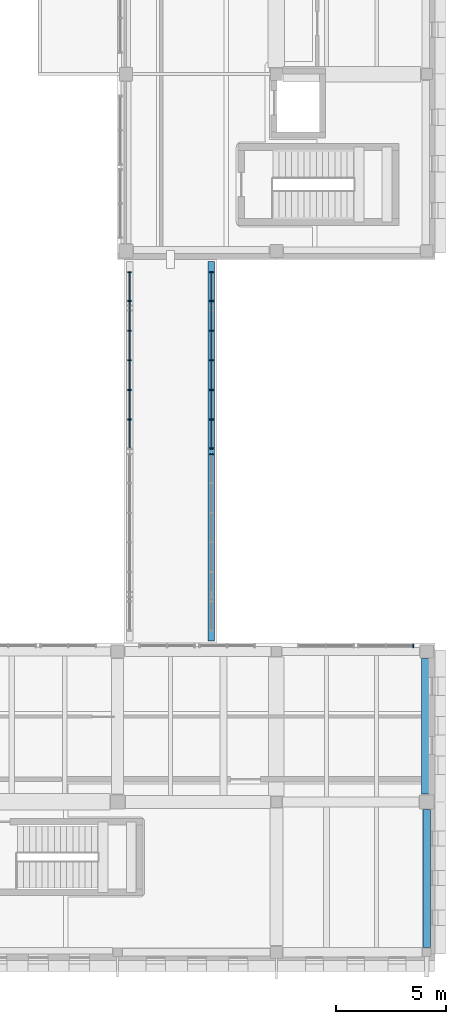
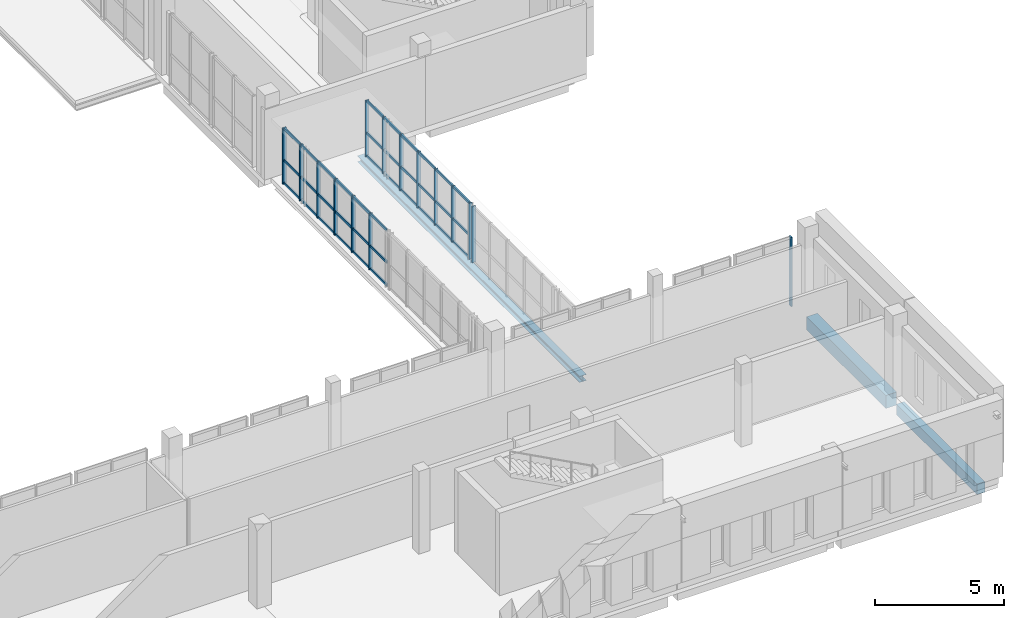
# One storey, part 32 of 76: 51 members, 3 beams, 4 elements without a shape of their own.
"""IFC4 building model written with IfcOpenShell, lengths in metres."""

from ifc_helpers import new_model, si_unit, direction, frame, origin, origin_2d, place, context, subcontext, project, spatial, rectangle, i_section, extrude, material, layer, layer_set, material_profile, profile_set, type_object, element, aggregate, save


model = new_model("IFC4")

# Units and contexts
model_context = context("Model", 3, precision=1e-05, world=origin(), true_north=direction((0.0, 1.0)))
body_context = subcontext(model_context, "Body", "Model", "MODEL_VIEW")
ifc_project = project(units=[si_unit("LENGTHUNIT", "METRE"), si_unit("AREAUNIT", "SQUARE_METRE"), si_unit("VOLUMEUNIT", "CUBIC_METRE"), si_unit("PLANEANGLEUNIT", "RADIAN"), si_unit("MASSUNIT", "GRAM", prefix="KILO")], contexts=[model_context])

# Site, building, storey
site_placement = place(None, origin())
site = spatial("IfcSite", under=ifc_project, at=site_placement, CompositionType="ELEMENT")
building_placement = place(site_placement, origin())
building = spatial("IfcBuilding", under=site, at=building_placement, Name="Vardoun Plaza Health Centre", CompositionType="ELEMENT")
storey_placement = place(building_placement, frame((0.0, 0.0, 4.5)))
storey = spatial("IfcBuildingStorey", under=building, at=storey_placement, Name="L01", CompositionType="ELEMENT", Elevation=4.5)

# Beams
ifc_material_1 = material(Name="Concrete C35/45", Category="concrete")
ifc_material_profile_1 = material_profile(ifc_material_1, rectangle(XDim=0.35009765625, YDim=0.5, at=origin_2d()), Name="RC-BM 350x500")
ifc_profile_set_1 = profile_set([ifc_material_profile_1], Name="Concrete C35/45")
beam_type_1 = type_object("IfcBeamType", Name="B-08", PredefinedType="SPANDREL", material=ifc_profile_set_1)
beam_1_placement = place(storey_placement, frame((164.919921875, 5.10498046875, -0.544921875), z_axis=(0.0, 1.0, 0.0), x_axis=(-1.0, 0.0, 0.0)))
element("IfcBeam", 1, at=beam_1_placement, inside=storey, type_object=beam_type_1, Name="V5 L01 Beam B-V5-L01-Y39", PredefinedType="SPANDREL", context=body_context, shape_type="SweptSolid", body=[
    extrude(rectangle(XDim=0.35009765625, YDim=0.5, at=origin_2d()), origin(), (0.0, 0.0, 1.0), 6.2451171875),
])
ifc_material_2 = material(Name="Concrete C35/45", Category="concrete")
ifc_material_profile_2 = material_profile(ifc_material_2, rectangle(XDim=0.47998046875, YDim=0.6201171875, at=origin_2d()), Name="RC-BM 480x620")
ifc_profile_set_2 = profile_set([ifc_material_profile_2], Name="Concrete C35/45")
beam_type_2 = type_object("IfcBeamType", Name="B-12", PredefinedType="SPANDREL", material=ifc_profile_set_2)
beam_2_placement = place(storey_placement, frame((164.919921875, 12.050048828125, -0.60498046875), z_axis=(0.0, 1.0, 0.0), x_axis=(-1.0, 0.0, 0.0)))
element("IfcBeam", 2, at=beam_2_placement, inside=storey, type_object=beam_type_2, Name="V5 L01 Beam B-V5-L01-Y40", PredefinedType="SPANDREL", context=body_context, shape_type="SweptSolid", body=[
    extrude(rectangle(XDim=0.47998046875, YDim=0.6201171875, at=origin_2d()), origin(), (0.0, 0.0, 1.0), 6.14501953125),
])
ifc_material_3 = material(Name="Steel S355J2", Category="steel")
ifc_material_profile_3 = material_profile(ifc_material_3, i_section(OverallWidth=0.300048828125, OverallDepth=0.2900390625, WebThickness=0.008544921875, FlangeThickness=0.013916015625, FilletRadius=0.027099609375, at=origin_2d()), Name="HEA 300")
ifc_profile_set_3 = profile_set([ifc_material_profile_3], Name="Steel S355J2")
beam_type_3 = type_object("IfcBeamType", Name="SB-05", PredefinedType="BEAM", material=ifc_profile_set_3)
beam_3_placement = place(storey_placement, frame((155.14990234375, 19.0, -0.364990234375), z_axis=(0.0, 1.0, 0.0), x_axis=(-1.0, 0.0, 0.0)))
element("IfcBeam", 3, at=beam_3_placement, inside=storey, type_object=beam_type_3, Name="Bridge BR-05 Edge Steel Girder E", PredefinedType="BEAM", context=body_context, shape_type="SweptSolid", body=[
    extrude(i_section(OverallWidth=0.300048828125, OverallDepth=0.2900390625, WebThickness=0.008544921875, FlangeThickness=0.013916015625, FilletRadius=0.027099609375, at=origin_2d()), origin(), (0.0, 0.0, 1.0), 17.199951171875),
])

# Curtain wall, member
ifc_material_4 = material(Name="Aluminium Alloy EN AW-6063-T6 and Low-E Glass", Category="aluminium")
ifc_layer = layer(ifc_material_4, 0.14990234375)
ifc_layer_set = layer_set([ifc_layer], Name="Aluminium Alloy EN AW-6063-T6 and Low-E Glass")
curtain_wall_type = type_object("IfcCurtainWallType", Name="CW-03", PredefinedType="NOTDEFINED", material=ifc_layer_set)
curtain_wall_1_placement = place(storey_placement, origin())
curtain_wall_1 = element("IfcCurtainWall", 4, at=curtain_wall_1_placement, inside=storey, type_object=curtain_wall_type, Name="Curtain Wall CW-V5-164", PredefinedType="NOTDEFINED")
ifc_material_5 = material(Name="Aluminium Alloy EN AW-6063-T6", Category="aluminium")
ifc_material_profile_4 = material_profile(ifc_material_5, rectangle(XDim=0.159912109375, YDim=0.06005859375, at=origin_2d()), Name="CWM 60x160")
ifc_profile_set_4 = profile_set([ifc_material_profile_4], Name="Aluminium Alloy EN AW-6063-T6")
member_type_1 = type_object("IfcMemberType", Name="CW-M1", PredefinedType="MULLION", material=ifc_profile_set_4)
member_1_placement = place(storey_placement, frame((164.31005859375, 18.780029296875, 0.0), z_axis=(0.0, 0.0, 1.0), x_axis=(0.0, 1.0, 0.0)))
member_1 = element("IfcMember", 5, at=member_1_placement, type_object=member_type_1, Name="CW-V5-164 mullion 3", PredefinedType="MULLION", context=body_context, shape_type="SweptSolid", body=[
    extrude(rectangle(XDim=0.159912109375, YDim=0.06005859375, at=origin_2d()), origin(), (0.0, 0.0, 1.0), 3.27001953125),
])
aggregate(curtain_wall_1, [member_1])

curtain_wall_2_placement = place(storey_placement, origin())
curtain_wall_2 = element("IfcCurtainWall", 6, at=curtain_wall_2_placement, inside=storey, type_object=curtain_wall_type, Name="Curtain Wall CW-BR-5ES", PredefinedType="NOTDEFINED")
member_2_placement = place(storey_placement, frame((155.14990234375, 27.469970703125, 0.0), z_axis=(0.0, 0.0, 1.0), x_axis=(1.0, 0.0, 0.0)))
member_2 = element("IfcMember", 7, at=member_2_placement, type_object=member_type_1, Name="CW-BR-5ES mullion 1", PredefinedType="MULLION", context=body_context, shape_type="SweptSolid", body=[
    extrude(rectangle(XDim=0.159912109375, YDim=0.06005859375, at=origin_2d()), origin(), (0.0, 0.0, 1.0), 2.64990234375),
])
aggregate(curtain_wall_2, [member_2])

# Curtain wall, members
curtain_wall_3_placement = place(storey_placement, origin())
curtain_wall_3 = element("IfcCurtainWall", 8, at=curtain_wall_3_placement, inside=storey, type_object=curtain_wall_type, Name="Curtain Wall CW-BR-5WN", PredefinedType="NOTDEFINED")
member_3_placement = place(storey_placement, frame((151.449951171875, 29.041748046875, 0.0), z_axis=(0.0, 0.0, 1.0), x_axis=(-1.0, 0.0, 0.0)))
member_3 = element("IfcMember", 9, at=member_3_placement, type_object=member_type_1, Name="CW-BR-5WN mullion 2", PredefinedType="MULLION", context=body_context, shape_type="SweptSolid", body=[
    extrude(rectangle(XDim=0.159912109375, YDim=0.06005859375, at=origin_2d()), origin(), (0.0, 0.0, 1.0), 2.64990234375),
])
member_4_placement = place(storey_placement, frame((151.449951171875, 30.38330078125, 0.0), z_axis=(0.0, 0.0, 1.0), x_axis=(-1.0, 0.0, 0.0)))
member_4 = element("IfcMember", 10, at=member_4_placement, type_object=member_type_1, Name="CW-BR-5WN mullion 3", PredefinedType="MULLION", context=body_context, shape_type="SweptSolid", body=[
    extrude(rectangle(XDim=0.159912109375, YDim=0.06005859375, at=origin_2d()), origin(), (0.0, 0.0, 1.0), 2.64990234375),
])
member_5_placement = place(storey_placement, frame((151.449951171875, 31.72509765625, 0.0), z_axis=(0.0, 0.0, 1.0), x_axis=(-1.0, 0.0, 0.0)))
member_5 = element("IfcMember", 11, at=member_5_placement, type_object=member_type_1, Name="CW-BR-5WN mullion 4", PredefinedType="MULLION", context=body_context, shape_type="SweptSolid", body=[
    extrude(rectangle(XDim=0.159912109375, YDim=0.06005859375, at=origin_2d()), origin(), (0.0, 0.0, 1.0), 2.64990234375),
])
member_6_placement = place(storey_placement, frame((151.449951171875, 33.066650390625, 0.0), z_axis=(0.0, 0.0, 1.0), x_axis=(-1.0, 0.0, 0.0)))
member_6 = element("IfcMember", 12, at=member_6_placement, type_object=member_type_1, Name="CW-BR-5WN mullion 5", PredefinedType="MULLION", context=body_context, shape_type="SweptSolid", body=[
    extrude(rectangle(XDim=0.159912109375, YDim=0.06005859375, at=origin_2d()), origin(), (0.0, 0.0, 1.0), 2.64990234375),
])
member_7_placement = place(storey_placement, frame((151.449951171875, 34.408447265625, 0.0), z_axis=(0.0, 0.0, 1.0), x_axis=(-1.0, 0.0, 0.0)))
member_7 = element("IfcMember", 13, at=member_7_placement, type_object=member_type_1, Name="CW-BR-5WN mullion 6", PredefinedType="MULLION", context=body_context, shape_type="SweptSolid", body=[
    extrude(rectangle(XDim=0.159912109375, YDim=0.06005859375, at=origin_2d()), origin(), (0.0, 0.0, 1.0), 2.64990234375),
])
member_8_placement = place(storey_placement, frame((151.449951171875, 35.719970703125, 0.0), z_axis=(0.0, 0.0, 1.0), x_axis=(-1.0, 0.0, 0.0)))
member_8 = element("IfcMember", 14, at=member_8_placement, type_object=member_type_1, Name="CW-BR-5WN mullion 7", PredefinedType="MULLION", context=body_context, shape_type="SweptSolid", body=[
    extrude(rectangle(XDim=0.159912109375, YDim=0.06005859375, at=origin_2d()), origin(), (0.0, 0.0, 1.0), 2.64990234375),
])

curtain_wall_4_placement = place(storey_placement, origin())
curtain_wall_4 = element("IfcCurtainWall", 15, at=curtain_wall_4_placement, inside=storey, type_object=curtain_wall_type, Name="Curtain Wall CW-BR-5EN", PredefinedType="NOTDEFINED")
member_9_placement = place(storey_placement, frame((155.14990234375, 35.719970703125, 0.0), z_axis=(0.0, 0.0, 1.0), x_axis=(1.0, 0.0, 0.0)))
member_9 = element("IfcMember", 16, at=member_9_placement, type_object=member_type_1, Name="CW-BR-5EN mullion 1", PredefinedType="MULLION", context=body_context, shape_type="SweptSolid", body=[
    extrude(rectangle(XDim=0.159912109375, YDim=0.06005859375, at=origin_2d()), origin(), (0.0, 0.0, 1.0), 2.64990234375),
])
member_10_placement = place(storey_placement, frame((155.14990234375, 34.408447265625, 0.0), z_axis=(0.0, 0.0, 1.0), x_axis=(1.0, 0.0, 0.0)))
member_10 = element("IfcMember", 17, at=member_10_placement, type_object=member_type_1, Name="CW-BR-5EN mullion 2", PredefinedType="MULLION", context=body_context, shape_type="SweptSolid", body=[
    extrude(rectangle(XDim=0.159912109375, YDim=0.06005859375, at=origin_2d()), origin(), (0.0, 0.0, 1.0), 2.64990234375),
])
member_11_placement = place(storey_placement, frame((155.14990234375, 33.066650390625, 0.0), z_axis=(0.0, 0.0, 1.0), x_axis=(1.0, 0.0, 0.0)))
member_11 = element("IfcMember", 18, at=member_11_placement, type_object=member_type_1, Name="CW-BR-5EN mullion 3", PredefinedType="MULLION", context=body_context, shape_type="SweptSolid", body=[
    extrude(rectangle(XDim=0.159912109375, YDim=0.06005859375, at=origin_2d()), origin(), (0.0, 0.0, 1.0), 2.64990234375),
])
member_12_placement = place(storey_placement, frame((155.14990234375, 31.72509765625, 0.0), z_axis=(0.0, 0.0, 1.0), x_axis=(1.0, 0.0, 0.0)))
member_12 = element("IfcMember", 19, at=member_12_placement, type_object=member_type_1, Name="CW-BR-5EN mullion 4", PredefinedType="MULLION", context=body_context, shape_type="SweptSolid", body=[
    extrude(rectangle(XDim=0.159912109375, YDim=0.06005859375, at=origin_2d()), origin(), (0.0, 0.0, 1.0), 2.64990234375),
])
member_13_placement = place(storey_placement, frame((155.14990234375, 30.38330078125, 0.0), z_axis=(0.0, 0.0, 1.0), x_axis=(1.0, 0.0, 0.0)))
member_13 = element("IfcMember", 20, at=member_13_placement, type_object=member_type_1, Name="CW-BR-5EN mullion 5", PredefinedType="MULLION", context=body_context, shape_type="SweptSolid", body=[
    extrude(rectangle(XDim=0.159912109375, YDim=0.06005859375, at=origin_2d()), origin(), (0.0, 0.0, 1.0), 2.64990234375),
])
member_14_placement = place(storey_placement, frame((155.14990234375, 29.041748046875, 0.0), z_axis=(0.0, 0.0, 1.0), x_axis=(1.0, 0.0, 0.0)))
member_14 = element("IfcMember", 21, at=member_14_placement, type_object=member_type_1, Name="CW-BR-5EN mullion 6", PredefinedType="MULLION", context=body_context, shape_type="SweptSolid", body=[
    extrude(rectangle(XDim=0.159912109375, YDim=0.06005859375, at=origin_2d()), origin(), (0.0, 0.0, 1.0), 2.64990234375),
])
member_15_placement = place(storey_placement, frame((155.14990234375, 27.72998046875, 0.0), z_axis=(0.0, 0.0, 1.0), x_axis=(1.0, 0.0, 0.0)))
member_15 = element("IfcMember", 22, at=member_15_placement, type_object=member_type_1, Name="CW-BR-5EN mullion 7", PredefinedType="MULLION", context=body_context, shape_type="SweptSolid", body=[
    extrude(rectangle(XDim=0.159912109375, YDim=0.06005859375, at=origin_2d()), origin(), (0.0, 0.0, 1.0), 2.64990234375),
])

# Member
ifc_material_6 = material(Name="Aluminium Alloy EN AW-6063-T6", Category="aluminium")
ifc_material_profile_5 = material_profile(ifc_material_6, rectangle(XDim=0.06005859375, YDim=0.1201171875, at=origin_2d()), Name="CWT 60x120")
ifc_profile_set_5 = profile_set([ifc_material_profile_5], Name="Aluminium Alloy EN AW-6063-T6")
member_type_2 = type_object("IfcMemberType", Name="CW-T1", PredefinedType="USERDEFINED", material=ifc_profile_set_5)
member_16_placement = place(storey_placement, frame((151.449951171875, 27.760009765625, 0.030029296875), z_axis=(0.0, 1.0, 0.0), x_axis=(-1.0, 0.0, 0.0)))
member_16 = element("IfcMember", 23, at=member_16_placement, type_object=member_type_2, Name="CW-BR-5WN transom 1.1", ObjectType="TRANSOM", PredefinedType="USERDEFINED", context=body_context, shape_type="SweptSolid", body=[
    extrude(rectangle(XDim=0.06005859375, YDim=0.1201171875, at=origin_2d()), origin(), (0.0, 0.0, 1.0), 1.251708984375),
])

member_17_placement = place(storey_placement, frame((151.449951171875, 27.760009765625, 1.113037109375), z_axis=(0.0, 1.0, 0.0), x_axis=(-1.0, 0.0, 0.0)))
member_17 = element("IfcMember", 24, at=member_17_placement, type_object=member_type_2, Name="CW-BR-5WN transom 1.2", ObjectType="TRANSOM", PredefinedType="USERDEFINED", context=body_context, shape_type="SweptSolid", body=[
    extrude(rectangle(XDim=0.06005859375, YDim=0.1201171875, at=origin_2d()), origin(), (0.0, 0.0, 1.0), 1.251708984375),
])

member_18_placement = place(storey_placement, frame((151.449951171875, 27.760009765625, 2.6201171875), z_axis=(0.0, 1.0, 0.0), x_axis=(-1.0, 0.0, 0.0)))
member_18 = element("IfcMember", 25, at=member_18_placement, type_object=member_type_2, Name="CW-BR-5WN transom 1.3", ObjectType="TRANSOM", PredefinedType="USERDEFINED", context=body_context, shape_type="SweptSolid", body=[
    extrude(rectangle(XDim=0.06005859375, YDim=0.1201171875, at=origin_2d()), origin(), (0.0, 0.0, 1.0), 1.251708984375),
])

member_19_placement = place(storey_placement, frame((151.449951171875, 29.07177734375, 0.030029296875), z_axis=(0.0, 1.0, 0.0), x_axis=(-1.0, 0.0, 0.0)))
member_19 = element("IfcMember", 26, at=member_19_placement, type_object=member_type_2, Name="CW-BR-5WN transom 2.1", ObjectType="TRANSOM", PredefinedType="USERDEFINED", context=body_context, shape_type="SweptSolid", body=[
    extrude(rectangle(XDim=0.06005859375, YDim=0.1201171875, at=origin_2d()), origin(), (0.0, 0.0, 1.0), 1.28173828125),
])

member_20_placement = place(storey_placement, frame((151.449951171875, 29.07177734375, 1.113037109375), z_axis=(0.0, 1.0, 0.0), x_axis=(-1.0, 0.0, 0.0)))
member_20 = element("IfcMember", 27, at=member_20_placement, type_object=member_type_2, Name="CW-BR-5WN transom 2.2", ObjectType="TRANSOM", PredefinedType="USERDEFINED", context=body_context, shape_type="SweptSolid", body=[
    extrude(rectangle(XDim=0.06005859375, YDim=0.1201171875, at=origin_2d()), origin(), (0.0, 0.0, 1.0), 1.28173828125),
])

member_21_placement = place(storey_placement, frame((151.449951171875, 29.07177734375, 2.6201171875), z_axis=(0.0, 1.0, 0.0), x_axis=(-1.0, 0.0, 0.0)))
member_21 = element("IfcMember", 28, at=member_21_placement, type_object=member_type_2, Name="CW-BR-5WN transom 2.3", ObjectType="TRANSOM", PredefinedType="USERDEFINED", context=body_context, shape_type="SweptSolid", body=[
    extrude(rectangle(XDim=0.06005859375, YDim=0.1201171875, at=origin_2d()), origin(), (0.0, 0.0, 1.0), 1.28173828125),
])

member_22_placement = place(storey_placement, frame((151.449951171875, 30.413330078125, 0.030029296875), z_axis=(0.0, 1.0, 0.0), x_axis=(-1.0, 0.0, 0.0)))
member_22 = element("IfcMember", 29, at=member_22_placement, type_object=member_type_2, Name="CW-BR-5WN transom 3.1", ObjectType="TRANSOM", PredefinedType="USERDEFINED", context=body_context, shape_type="SweptSolid", body=[
    extrude(rectangle(XDim=0.06005859375, YDim=0.1201171875, at=origin_2d()), origin(), (0.0, 0.0, 1.0), 1.28173828125),
])

member_23_placement = place(storey_placement, frame((151.449951171875, 30.413330078125, 1.113037109375), z_axis=(0.0, 1.0, 0.0), x_axis=(-1.0, 0.0, 0.0)))
member_23 = element("IfcMember", 30, at=member_23_placement, type_object=member_type_2, Name="CW-BR-5WN transom 3.2", ObjectType="TRANSOM", PredefinedType="USERDEFINED", context=body_context, shape_type="SweptSolid", body=[
    extrude(rectangle(XDim=0.06005859375, YDim=0.1201171875, at=origin_2d()), origin(), (0.0, 0.0, 1.0), 1.28173828125),
])

member_24_placement = place(storey_placement, frame((151.449951171875, 30.413330078125, 2.6201171875), z_axis=(0.0, 1.0, 0.0), x_axis=(-1.0, 0.0, 0.0)))
member_24 = element("IfcMember", 31, at=member_24_placement, type_object=member_type_2, Name="CW-BR-5WN transom 3.3", ObjectType="TRANSOM", PredefinedType="USERDEFINED", context=body_context, shape_type="SweptSolid", body=[
    extrude(rectangle(XDim=0.06005859375, YDim=0.1201171875, at=origin_2d()), origin(), (0.0, 0.0, 1.0), 1.28173828125),
])

member_25_placement = place(storey_placement, frame((151.449951171875, 31.7548828125, 0.030029296875), z_axis=(0.0, 1.0, 0.0), x_axis=(-1.0, 0.0, 0.0)))
member_25 = element("IfcMember", 32, at=member_25_placement, type_object=member_type_2, Name="CW-BR-5WN transom 4.1", ObjectType="TRANSOM", PredefinedType="USERDEFINED", context=body_context, shape_type="SweptSolid", body=[
    extrude(rectangle(XDim=0.06005859375, YDim=0.1201171875, at=origin_2d()), origin(), (0.0, 0.0, 1.0), 1.28173828125),
])

member_26_placement = place(storey_placement, frame((151.449951171875, 31.7548828125, 1.113037109375), z_axis=(0.0, 1.0, 0.0), x_axis=(-1.0, 0.0, 0.0)))
member_26 = element("IfcMember", 33, at=member_26_placement, type_object=member_type_2, Name="CW-BR-5WN transom 4.2", ObjectType="TRANSOM", PredefinedType="USERDEFINED", context=body_context, shape_type="SweptSolid", body=[
    extrude(rectangle(XDim=0.06005859375, YDim=0.1201171875, at=origin_2d()), origin(), (0.0, 0.0, 1.0), 1.28173828125),
])

member_27_placement = place(storey_placement, frame((151.449951171875, 31.7548828125, 2.6201171875), z_axis=(0.0, 1.0, 0.0), x_axis=(-1.0, 0.0, 0.0)))
member_27 = element("IfcMember", 34, at=member_27_placement, type_object=member_type_2, Name="CW-BR-5WN transom 4.3", ObjectType="TRANSOM", PredefinedType="USERDEFINED", context=body_context, shape_type="SweptSolid", body=[
    extrude(rectangle(XDim=0.06005859375, YDim=0.1201171875, at=origin_2d()), origin(), (0.0, 0.0, 1.0), 1.28173828125),
])

member_28_placement = place(storey_placement, frame((151.449951171875, 33.0966796875, 0.030029296875), z_axis=(0.0, 1.0, 0.0), x_axis=(-1.0, 0.0, 0.0)))
member_28 = element("IfcMember", 35, at=member_28_placement, type_object=member_type_2, Name="CW-BR-5WN transom 5.1", ObjectType="TRANSOM", PredefinedType="USERDEFINED", context=body_context, shape_type="SweptSolid", body=[
    extrude(rectangle(XDim=0.06005859375, YDim=0.1201171875, at=origin_2d()), origin(), (0.0, 0.0, 1.0), 1.28173828125),
])

member_29_placement = place(storey_placement, frame((151.449951171875, 33.0966796875, 1.113037109375), z_axis=(0.0, 1.0, 0.0), x_axis=(-1.0, 0.0, 0.0)))
member_29 = element("IfcMember", 36, at=member_29_placement, type_object=member_type_2, Name="CW-BR-5WN transom 5.2", ObjectType="TRANSOM", PredefinedType="USERDEFINED", context=body_context, shape_type="SweptSolid", body=[
    extrude(rectangle(XDim=0.06005859375, YDim=0.1201171875, at=origin_2d()), origin(), (0.0, 0.0, 1.0), 1.28173828125),
])

member_30_placement = place(storey_placement, frame((151.449951171875, 33.0966796875, 2.6201171875), z_axis=(0.0, 1.0, 0.0), x_axis=(-1.0, 0.0, 0.0)))
member_30 = element("IfcMember", 37, at=member_30_placement, type_object=member_type_2, Name="CW-BR-5WN transom 5.3", ObjectType="TRANSOM", PredefinedType="USERDEFINED", context=body_context, shape_type="SweptSolid", body=[
    extrude(rectangle(XDim=0.06005859375, YDim=0.1201171875, at=origin_2d()), origin(), (0.0, 0.0, 1.0), 1.28173828125),
])

member_31_placement = place(storey_placement, frame((151.449951171875, 34.438232421875, 0.030029296875), z_axis=(0.0, 1.0, 0.0), x_axis=(-1.0, 0.0, 0.0)))
member_31 = element("IfcMember", 38, at=member_31_placement, type_object=member_type_2, Name="CW-BR-5WN transom 6.1", ObjectType="TRANSOM", PredefinedType="USERDEFINED", context=body_context, shape_type="SweptSolid", body=[
    extrude(rectangle(XDim=0.06005859375, YDim=0.1201171875, at=origin_2d()), origin(), (0.0, 0.0, 1.0), 1.251708984375),
])

member_32_placement = place(storey_placement, frame((151.449951171875, 34.438232421875, 1.113037109375), z_axis=(0.0, 1.0, 0.0), x_axis=(-1.0, 0.0, 0.0)))
member_32 = element("IfcMember", 39, at=member_32_placement, type_object=member_type_2, Name="CW-BR-5WN transom 6.2", ObjectType="TRANSOM", PredefinedType="USERDEFINED", context=body_context, shape_type="SweptSolid", body=[
    extrude(rectangle(XDim=0.06005859375, YDim=0.1201171875, at=origin_2d()), origin(), (0.0, 0.0, 1.0), 1.251708984375),
])

member_33_placement = place(storey_placement, frame((151.449951171875, 34.438232421875, 2.6201171875), z_axis=(0.0, 1.0, 0.0), x_axis=(-1.0, 0.0, 0.0)))
member_33 = element("IfcMember", 40, at=member_33_placement, type_object=member_type_2, Name="CW-BR-5WN transom 6.3", ObjectType="TRANSOM", PredefinedType="USERDEFINED", context=body_context, shape_type="SweptSolid", body=[
    extrude(rectangle(XDim=0.06005859375, YDim=0.1201171875, at=origin_2d()), origin(), (0.0, 0.0, 1.0), 1.251708984375),
])

aggregate(curtain_wall_3, [member_3, member_4, member_5, member_6, member_7, member_8, member_16, member_17, member_18, member_19, member_20, member_21, member_22, member_23, member_24, member_25, member_26, member_27, member_28, member_29, member_30, member_31, member_32, member_33])

member_34_placement = place(storey_placement, frame((155.14990234375, 35.68994140625, 0.030029296875), z_axis=(0.0, -1.0, 0.0), x_axis=(1.0, 0.0, 0.0)))
member_34 = element("IfcMember", 41, at=member_34_placement, type_object=member_type_2, Name="CW-BR-5EN transom 1.1", ObjectType="TRANSOM", PredefinedType="USERDEFINED", context=body_context, shape_type="SweptSolid", body=[
    extrude(rectangle(XDim=0.06005859375, YDim=0.1201171875, at=origin_2d()), origin(), (0.0, 0.0, 1.0), 1.251708984375),
])

member_35_placement = place(storey_placement, frame((155.14990234375, 35.68994140625, 1.113037109375), z_axis=(0.0, -1.0, 0.0), x_axis=(1.0, 0.0, 0.0)))
member_35 = element("IfcMember", 42, at=member_35_placement, type_object=member_type_2, Name="CW-BR-5EN transom 1.2", ObjectType="TRANSOM", PredefinedType="USERDEFINED", context=body_context, shape_type="SweptSolid", body=[
    extrude(rectangle(XDim=0.06005859375, YDim=0.1201171875, at=origin_2d()), origin(), (0.0, 0.0, 1.0), 1.251708984375),
])

member_36_placement = place(storey_placement, frame((155.14990234375, 35.68994140625, 2.6201171875), z_axis=(0.0, -1.0, 0.0), x_axis=(1.0, 0.0, 0.0)))
member_36 = element("IfcMember", 43, at=member_36_placement, type_object=member_type_2, Name="CW-BR-5EN transom 1.3", ObjectType="TRANSOM", PredefinedType="USERDEFINED", context=body_context, shape_type="SweptSolid", body=[
    extrude(rectangle(XDim=0.06005859375, YDim=0.1201171875, at=origin_2d()), origin(), (0.0, 0.0, 1.0), 1.251708984375),
])

member_37_placement = place(storey_placement, frame((155.14990234375, 34.37841796875, 0.030029296875), z_axis=(0.0, -1.0, 0.0), x_axis=(1.0, 0.0, 0.0)))
member_37 = element("IfcMember", 44, at=member_37_placement, type_object=member_type_2, Name="CW-BR-5EN transom 2.1", ObjectType="TRANSOM", PredefinedType="USERDEFINED", context=body_context, shape_type="SweptSolid", body=[
    extrude(rectangle(XDim=0.06005859375, YDim=0.1201171875, at=origin_2d()), origin(), (0.0, 0.0, 1.0), 1.28173828125),
])

member_38_placement = place(storey_placement, frame((155.14990234375, 34.37841796875, 1.113037109375), z_axis=(0.0, -1.0, 0.0), x_axis=(1.0, 0.0, 0.0)))
member_38 = element("IfcMember", 45, at=member_38_placement, type_object=member_type_2, Name="CW-BR-5EN transom 2.2", ObjectType="TRANSOM", PredefinedType="USERDEFINED", context=body_context, shape_type="SweptSolid", body=[
    extrude(rectangle(XDim=0.06005859375, YDim=0.1201171875, at=origin_2d()), origin(), (0.0, 0.0, 1.0), 1.28173828125),
])

member_39_placement = place(storey_placement, frame((155.14990234375, 34.37841796875, 2.6201171875), z_axis=(0.0, -1.0, 0.0), x_axis=(1.0, 0.0, 0.0)))
member_39 = element("IfcMember", 46, at=member_39_placement, type_object=member_type_2, Name="CW-BR-5EN transom 2.3", ObjectType="TRANSOM", PredefinedType="USERDEFINED", context=body_context, shape_type="SweptSolid", body=[
    extrude(rectangle(XDim=0.06005859375, YDim=0.1201171875, at=origin_2d()), origin(), (0.0, 0.0, 1.0), 1.28173828125),
])

member_40_placement = place(storey_placement, frame((155.14990234375, 33.03662109375, 0.030029296875), z_axis=(0.0, -1.0, 0.0), x_axis=(1.0, 0.0, 0.0)))
member_40 = element("IfcMember", 47, at=member_40_placement, type_object=member_type_2, Name="CW-BR-5EN transom 3.1", ObjectType="TRANSOM", PredefinedType="USERDEFINED", context=body_context, shape_type="SweptSolid", body=[
    extrude(rectangle(XDim=0.06005859375, YDim=0.1201171875, at=origin_2d()), origin(), (0.0, 0.0, 1.0), 1.28173828125),
])

member_41_placement = place(storey_placement, frame((155.14990234375, 33.03662109375, 1.113037109375), z_axis=(0.0, -1.0, 0.0), x_axis=(1.0, 0.0, 0.0)))
member_41 = element("IfcMember", 48, at=member_41_placement, type_object=member_type_2, Name="CW-BR-5EN transom 3.2", ObjectType="TRANSOM", PredefinedType="USERDEFINED", context=body_context, shape_type="SweptSolid", body=[
    extrude(rectangle(XDim=0.06005859375, YDim=0.1201171875, at=origin_2d()), origin(), (0.0, 0.0, 1.0), 1.28173828125),
])

member_42_placement = place(storey_placement, frame((155.14990234375, 33.03662109375, 2.6201171875), z_axis=(0.0, -1.0, 0.0), x_axis=(1.0, 0.0, 0.0)))
member_42 = element("IfcMember", 49, at=member_42_placement, type_object=member_type_2, Name="CW-BR-5EN transom 3.3", ObjectType="TRANSOM", PredefinedType="USERDEFINED", context=body_context, shape_type="SweptSolid", body=[
    extrude(rectangle(XDim=0.06005859375, YDim=0.1201171875, at=origin_2d()), origin(), (0.0, 0.0, 1.0), 1.28173828125),
])

member_43_placement = place(storey_placement, frame((155.14990234375, 31.695068359375, 0.030029296875), z_axis=(0.0, -1.0, 0.0), x_axis=(1.0, 0.0, 0.0)))
member_43 = element("IfcMember", 50, at=member_43_placement, type_object=member_type_2, Name="CW-BR-5EN transom 4.1", ObjectType="TRANSOM", PredefinedType="USERDEFINED", context=body_context, shape_type="SweptSolid", body=[
    extrude(rectangle(XDim=0.06005859375, YDim=0.1201171875, at=origin_2d()), origin(), (0.0, 0.0, 1.0), 1.28173828125),
])

member_44_placement = place(storey_placement, frame((155.14990234375, 31.695068359375, 1.113037109375), z_axis=(0.0, -1.0, 0.0), x_axis=(1.0, 0.0, 0.0)))
member_44 = element("IfcMember", 51, at=member_44_placement, type_object=member_type_2, Name="CW-BR-5EN transom 4.2", ObjectType="TRANSOM", PredefinedType="USERDEFINED", context=body_context, shape_type="SweptSolid", body=[
    extrude(rectangle(XDim=0.06005859375, YDim=0.1201171875, at=origin_2d()), origin(), (0.0, 0.0, 1.0), 1.28173828125),
])

member_45_placement = place(storey_placement, frame((155.14990234375, 31.695068359375, 2.6201171875), z_axis=(0.0, -1.0, 0.0), x_axis=(1.0, 0.0, 0.0)))
member_45 = element("IfcMember", 52, at=member_45_placement, type_object=member_type_2, Name="CW-BR-5EN transom 4.3", ObjectType="TRANSOM", PredefinedType="USERDEFINED", context=body_context, shape_type="SweptSolid", body=[
    extrude(rectangle(XDim=0.06005859375, YDim=0.1201171875, at=origin_2d()), origin(), (0.0, 0.0, 1.0), 1.28173828125),
])

member_46_placement = place(storey_placement, frame((155.14990234375, 30.353515625, 0.030029296875), z_axis=(0.0, -1.0, 0.0), x_axis=(1.0, 0.0, 0.0)))
member_46 = element("IfcMember", 53, at=member_46_placement, type_object=member_type_2, Name="CW-BR-5EN transom 5.1", ObjectType="TRANSOM", PredefinedType="USERDEFINED", context=body_context, shape_type="SweptSolid", body=[
    extrude(rectangle(XDim=0.06005859375, YDim=0.1201171875, at=origin_2d()), origin(), (0.0, 0.0, 1.0), 1.28173828125),
])

member_47_placement = place(storey_placement, frame((155.14990234375, 30.353515625, 1.113037109375), z_axis=(0.0, -1.0, 0.0), x_axis=(1.0, 0.0, 0.0)))
member_47 = element("IfcMember", 54, at=member_47_placement, type_object=member_type_2, Name="CW-BR-5EN transom 5.2", ObjectType="TRANSOM", PredefinedType="USERDEFINED", context=body_context, shape_type="SweptSolid", body=[
    extrude(rectangle(XDim=0.06005859375, YDim=0.1201171875, at=origin_2d()), origin(), (0.0, 0.0, 1.0), 1.28173828125),
])

member_48_placement = place(storey_placement, frame((155.14990234375, 30.353515625, 2.6201171875), z_axis=(0.0, -1.0, 0.0), x_axis=(1.0, 0.0, 0.0)))
member_48 = element("IfcMember", 55, at=member_48_placement, type_object=member_type_2, Name="CW-BR-5EN transom 5.3", ObjectType="TRANSOM", PredefinedType="USERDEFINED", context=body_context, shape_type="SweptSolid", body=[
    extrude(rectangle(XDim=0.06005859375, YDim=0.1201171875, at=origin_2d()), origin(), (0.0, 0.0, 1.0), 1.28173828125),
])

member_49_placement = place(storey_placement, frame((155.14990234375, 29.01171875, 0.030029296875), z_axis=(0.0, -1.0, 0.0), x_axis=(1.0, 0.0, 0.0)))
member_49 = element("IfcMember", 56, at=member_49_placement, type_object=member_type_2, Name="CW-BR-5EN transom 6.1", ObjectType="TRANSOM", PredefinedType="USERDEFINED", context=body_context, shape_type="SweptSolid", body=[
    extrude(rectangle(XDim=0.06005859375, YDim=0.1201171875, at=origin_2d()), origin(), (0.0, 0.0, 1.0), 1.251708984375),
])

member_50_placement = place(storey_placement, frame((155.14990234375, 29.01171875, 1.113037109375), z_axis=(0.0, -1.0, 0.0), x_axis=(1.0, 0.0, 0.0)))
member_50 = element("IfcMember", 57, at=member_50_placement, type_object=member_type_2, Name="CW-BR-5EN transom 6.2", ObjectType="TRANSOM", PredefinedType="USERDEFINED", context=body_context, shape_type="SweptSolid", body=[
    extrude(rectangle(XDim=0.06005859375, YDim=0.1201171875, at=origin_2d()), origin(), (0.0, 0.0, 1.0), 1.251708984375),
])

member_51_placement = place(storey_placement, frame((155.14990234375, 29.01171875, 2.6201171875), z_axis=(0.0, -1.0, 0.0), x_axis=(1.0, 0.0, 0.0)))
member_51 = element("IfcMember", 58, at=member_51_placement, type_object=member_type_2, Name="CW-BR-5EN transom 6.3", ObjectType="TRANSOM", PredefinedType="USERDEFINED", context=body_context, shape_type="SweptSolid", body=[
    extrude(rectangle(XDim=0.06005859375, YDim=0.1201171875, at=origin_2d()), origin(), (0.0, 0.0, 1.0), 1.251708984375),
])

aggregate(curtain_wall_4, [member_9, member_10, member_11, member_12, member_13, member_14, member_15, member_34, member_35, member_36, member_37, member_38, member_39, member_40, member_41, member_42, member_43, member_44, member_45, member_46, member_47, member_48, member_49, member_50, member_51])

save(model, "model.ifc")
